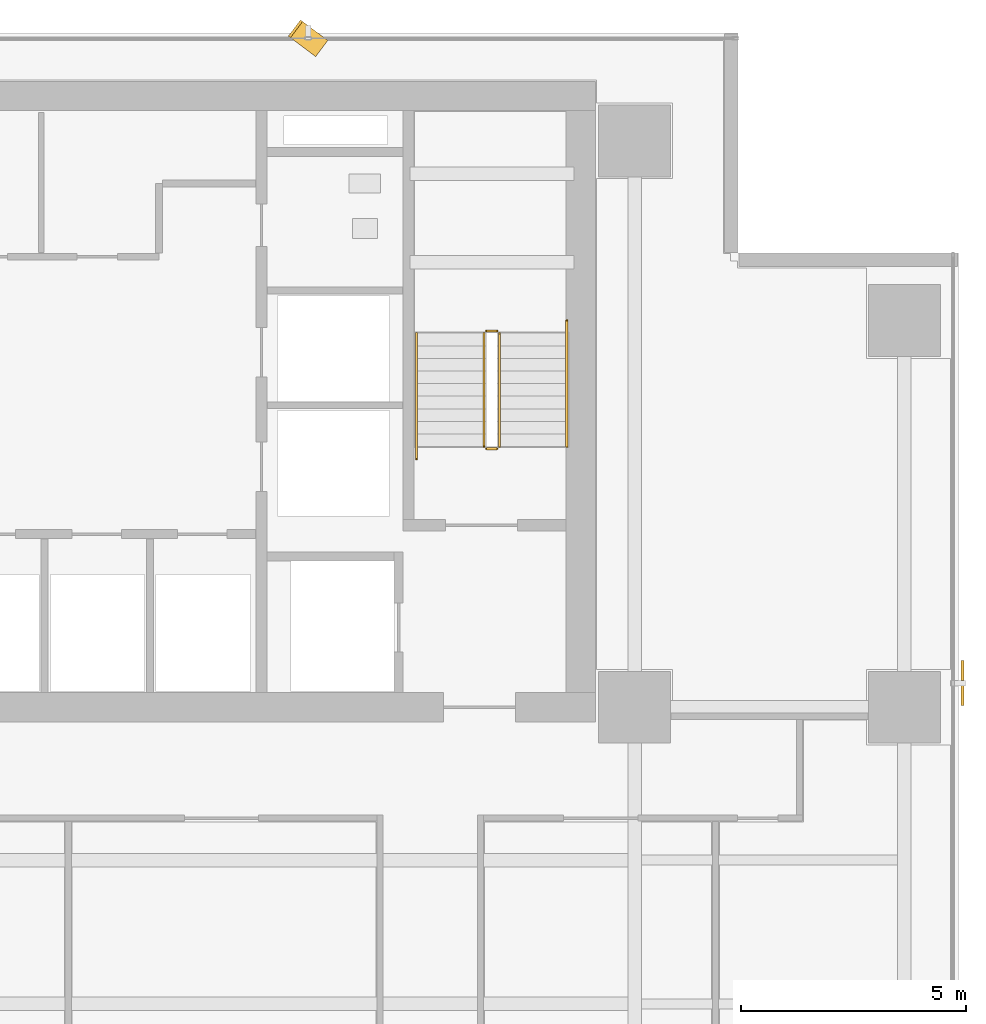
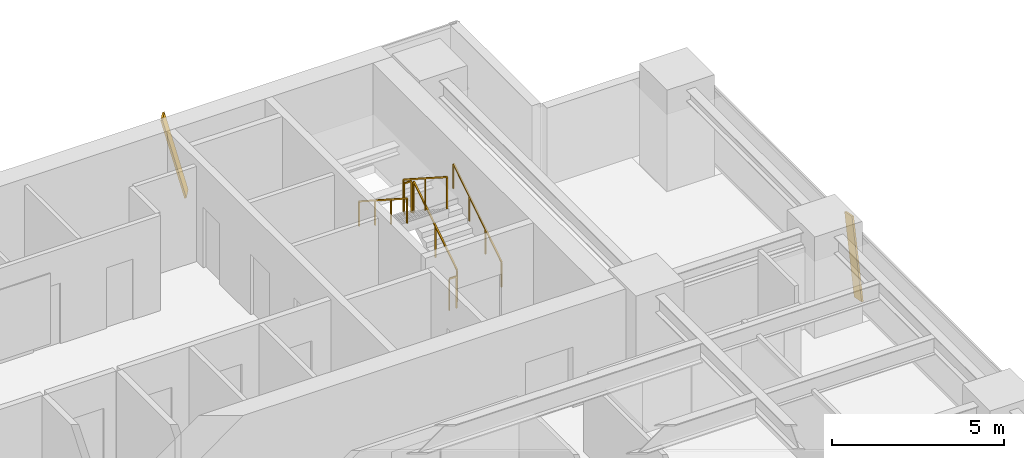
# One storey, part 27 of 29: 6 railings, 2 shading devices.
"""IFC4 building model written with IfcOpenShell, lengths in metres."""

from ifc_helpers import new_model, si_unit, direction, frame, origin, origin_2d, place, context, subcontext, project, spatial, rectangle, extrude, source, transform, mapped, material, material_profile, profile_set, type_object, element, save


model = new_model("IFC4")

# Units and contexts
model_context = context("Model", 3, precision=1e-05, world=origin(), true_north=direction((0.0, 1.0)))
body_context = subcontext(model_context, "Body", "Model", "MODEL_VIEW")
ifc_project = project(units=[si_unit("LENGTHUNIT", "METRE"), si_unit("AREAUNIT", "SQUARE_METRE"), si_unit("VOLUMEUNIT", "CUBIC_METRE"), si_unit("PLANEANGLEUNIT", "RADIAN"), si_unit("MASSUNIT", "GRAM", prefix="KILO")], contexts=[model_context])

# Site, building, storey
site_placement = place(None, origin())
site = spatial("IfcSite", under=ifc_project, at=site_placement, CompositionType="ELEMENT")
building_placement = place(site_placement, origin())
building = spatial("IfcBuilding", under=site, at=building_placement, Name="Sumidabori Civic Tower", CompositionType="ELEMENT")
storey_placement = place(building_placement, frame((0.0, 0.0, 131.60009765625)))
storey = spatial("IfcBuildingStorey", under=building, at=storey_placement, Name="L33", CompositionType="ELEMENT", Elevation=131.60009765625)

# Railings
ifc_material_1 = material(Name="Stainless Steel Hairline Finish", Category="steel")
railing_type_1 = type_object("IfcRailingType", Name="RL-HANDRAIL", PredefinedType="HANDRAIL", material=ifc_material_1)
railing_1_placement = place(storey_placement, frame((15.2900390625, 16.0, 0.179931640625)))
element("IfcRailing", 1, at=railing_1_placement, inside=storey, type_object=railing_type_1, Name="L33 ST-2 stair handrail 1", PredefinedType="HANDRAIL", context=body_context, shape_type="SweptSolid", body=[
    extrude(rectangle(XDim=0.048095703125, YDim=0.048095703125, at=origin_2d()), frame((0.0, 0.0, 0.8759765625), z_axis=(0.0, 0.840675598268, 0.541539046124), x_axis=(-1.0, 0.0, 0.0)), (0.0, 0.0, 1.0), 3.330810546875),
    extrude(rectangle(XDim=0.0419921875, YDim=0.0419921875, at=origin_2d()), origin(), (0.0, 0.0, 1.0), 0.851806640625),
    extrude(rectangle(XDim=0.0419921875, YDim=0.0419921875, at=origin_2d()), frame((0.0, 0.933349609375, 0.601318359375)), (0.0, 0.0, 1.0), 0.851806640625),
    extrude(rectangle(XDim=0.0419921875, YDim=0.0419921875, at=origin_2d()), frame((0.0, 1.86669921875, 1.202392578125)), (0.0, 0.0, 1.0), 0.851806640625),
    extrude(rectangle(XDim=0.0419921875, YDim=0.0419921875, at=origin_2d()), frame((0.0, 2.800048828125, 1.8037109375)), (0.0, 0.0, 1.0), 0.851806640625),
])
railing_2_placement = place(storey_placement, frame((11.949951171875, 18.52001953125, 1.97998046875)))
element("IfcRailing", 2, at=railing_2_placement, inside=storey, type_object=railing_type_1, Name="L33 ST-2 stair handrail 2", PredefinedType="HANDRAIL", context=body_context, shape_type="SweptSolid", body=[
    extrude(rectangle(XDim=0.048095703125, YDim=0.048095703125, at=origin_2d()), frame((0.0, 0.0, 0.8759765625), z_axis=(0.0, -0.840675598268, 0.541539046124), x_axis=(1.0, 0.0, 0.0)), (0.0, 0.0, 1.0), 3.330810546875),
    extrude(rectangle(XDim=0.0419921875, YDim=0.0419921875, at=origin_2d()), origin(), (0.0, 0.0, 1.0), 0.851806640625),
    extrude(rectangle(XDim=0.0419921875, YDim=0.0419921875, at=origin_2d()), frame((0.0, -0.933349609375, 0.601318359375)), (0.0, 0.0, 1.0), 0.851806640625),
    extrude(rectangle(XDim=0.0419921875, YDim=0.0419921875, at=origin_2d()), frame((0.0, -1.86669921875, 1.202392578125)), (0.0, 0.0, 1.0), 0.851806640625),
    extrude(rectangle(XDim=0.0419921875, YDim=0.0419921875, at=origin_2d()), frame((0.0, -2.800048828125, 1.8037109375)), (0.0, 0.0, 1.0), 0.851806640625),
])
ifc_material_2 = material(Name="Steel SN490", Category="steel")
railing_type_2 = type_object("IfcRailingType", Name="RL-STAIR-GUARD", PredefinedType="GUARDRAIL", material=ifc_material_2)
railing_3_placement = place(storey_placement, frame((13.7900390625, 16.0, 0.179931640625)))
element("IfcRailing", 3, at=railing_3_placement, inside=storey, type_object=railing_type_2, Name="L33 ST-2 stair guard 1", PredefinedType="GUARDRAIL", context=body_context, shape_type="SweptSolid", body=[
    extrude(rectangle(XDim=0.048095703125, YDim=0.048095703125, at=origin_2d()), frame((0.0, 0.0, 1.1259765625), z_axis=(0.0, 0.841199657755, 0.540724639528), x_axis=(-1.0, 0.0, 0.0)), (0.0, 0.0, 1.0), 2.995849609375),
    extrude(rectangle(XDim=0.0419921875, YDim=0.0419921875, at=origin_2d()), origin(), (0.0, 0.0, 1.0), 1.101806640625),
    extrude(rectangle(XDim=0.0419921875, YDim=0.0419921875, at=origin_2d()), frame((0.0, 1.260009765625, 0.81005859375)), (0.0, 0.0, 1.0), 1.101806640625),
    extrude(rectangle(XDim=0.0419921875, YDim=0.0419921875, at=origin_2d()), frame((0.0, 2.52001953125, 1.619873046875)), (0.0, 0.0, 1.0), 1.101806640625),
])
railing_4_placement = place(storey_placement, frame((13.739990234375, 18.570068359375, 1.7998046875)))
element("IfcRailing", 4, at=railing_4_placement, inside=storey, type_object=railing_type_2, Name="L33 ST-2 stair guard 2", PredefinedType="GUARDRAIL", context=body_context, shape_type="SweptSolid", body=[
    extrude(rectangle(XDim=0.048095703125, YDim=0.048095703125, at=origin_2d()), frame((0.0, 0.0, 1.1259765625), z_axis=(-1.0, 0.0, 0.0), x_axis=(0.0, -1.0, 0.0)), (0.0, 0.0, 1.0), 0.239990234375),
    extrude(rectangle(XDim=0.0419921875, YDim=0.0419921875, at=origin_2d()), origin(), (0.0, 0.0, 1.0), 1.101806640625),
    extrude(rectangle(XDim=0.0419921875, YDim=0.0419921875, at=origin_2d()), frame((-0.239990234375, 0.0, 0.0)), (0.0, 0.0, 1.0), 1.101806640625),
])
railing_5_placement = place(storey_placement, frame((13.449951171875, 18.52001953125, 1.97998046875)))
element("IfcRailing", 5, at=railing_5_placement, inside=storey, type_object=railing_type_2, Name="L33 ST-2 stair guard 3", PredefinedType="GUARDRAIL", context=body_context, shape_type="SweptSolid", body=[
    extrude(rectangle(XDim=0.048095703125, YDim=0.048095703125, at=origin_2d()), frame((0.0, 0.0, 1.1259765625), z_axis=(0.0, -0.841199657755, 0.540724639528), x_axis=(1.0, 0.0, 0.0)), (0.0, 0.0, 1.0), 2.995849609375),
    extrude(rectangle(XDim=0.0419921875, YDim=0.0419921875, at=origin_2d()), origin(), (0.0, 0.0, 1.0), 1.101806640625),
    extrude(rectangle(XDim=0.0419921875, YDim=0.0419921875, at=origin_2d()), frame((0.0, -1.260009765625, 0.81005859375)), (0.0, 0.0, 1.0), 1.101806640625),
    extrude(rectangle(XDim=0.0419921875, YDim=0.0419921875, at=origin_2d()), frame((0.0, -2.52001953125, 1.619873046875)), (0.0, 0.0, 1.0), 1.101806640625),
])
railing_6_placement = place(storey_placement, frame((13.739990234375, 15.949951171875, 0.0)))
element("IfcRailing", 6, at=railing_6_placement, inside=storey, type_object=railing_type_2, Name="L33 ST-2 stair guard 4", PredefinedType="GUARDRAIL", context=body_context, shape_type="SweptSolid", body=[
    extrude(rectangle(XDim=0.048095703125, YDim=0.048095703125, at=origin_2d()), frame((0.0, 0.0, 1.1259765625), z_axis=(-1.0, 0.0, 0.0), x_axis=(0.0, -1.0, 0.0)), (0.0, 0.0, 1.0), 0.239990234375),
    extrude(rectangle(XDim=0.0419921875, YDim=0.0419921875, at=origin_2d()), origin(), (0.0, 0.0, 1.0), 1.101806640625),
    extrude(rectangle(XDim=0.0419921875, YDim=0.0419921875, at=origin_2d()), frame((-0.239990234375, 0.0, 0.0)), (0.0, 0.0, 1.0), 1.101806640625),
])

# Shading devices
ifc_material_3 = material(Name="Anodised Bronze Aluminium AW-6063-T6", Category="aluminium")
ifc_material_profile = material_profile(ifc_material_3, rectangle(XDim=0.06005859375, YDim=0.449951171875, at=origin_2d()), Name="BRONZE FIN 450x60")
ifc_profile_set = profile_set([ifc_material_profile], Name="Anodised Bronze Aluminium AW-6063-T6")
shading_device_type = type_object("IfcShadingDeviceType", Name="SH-FIN-450", PredefinedType="USERDEFINED", material=ifc_profile_set)
shared_shape_1 = source(origin(), body_context, "Body", "SweptSolid", [
    extrude(rectangle(XDim=0.06005859375, YDim=0.449951171875, at=origin_2d()), origin(), (0.0, 0.0, 1.0), 2.789306640625),
])
shading_device_1_placement = place(storey_placement, frame((9.81494140625, 24.8701171875, 0.02001953125), z_axis=(-0.200794136335, 0.150551837182, 0.967995794998), x_axis=(0.774477654896, -0.580689436103, 0.250966413819)))
element("IfcShadingDevice", 7, at=shading_device_1_placement, inside=storey, type_object=shading_device_type, Name="Bronze Anodised Diagonal Fin L33-01", ObjectType="FIN", PredefinedType="USERDEFINED", context=body_context, shape_type="MappedRepresentation", body=[
    mapped(shared_shape_1, transform((0.0, 0.0, 0.0), x_axis=(1.0, 0.0, 0.0), y_axis=(0.0, 1.0, 0.0), z_axis=(0.0, 0.0, 1.0), scale=1.0)),
])
shared_shape_2 = source(origin(), body_context, "Body", "SweptSolid", [
    extrude(rectangle(XDim=0.06005859375, YDim=0.449951171875, at=origin_2d()), origin(), (0.0, 0.0, 1.0), 2.75732421875),
])
shading_device_2_placement = place(storey_placement, frame((24.090087890625, 10.455078125, 0.02001953125), z_axis=(0.0, 0.20302426177, 0.979173707333), x_axis=(-1.0, 0.0, 0.0)))
element("IfcShadingDevice", 8, at=shading_device_2_placement, inside=storey, type_object=shading_device_type, Name="Bronze Anodised Diagonal Fin L33-03", ObjectType="FIN", PredefinedType="USERDEFINED", context=body_context, shape_type="MappedRepresentation", body=[
    mapped(shared_shape_2, transform((0.0, 0.0, 0.0), x_axis=(1.0, 0.0, 0.0), y_axis=(0.0, 1.0, 0.0), z_axis=(0.0, 0.0, 1.0), scale=1.0)),
])

save(model, "model.ifc")
